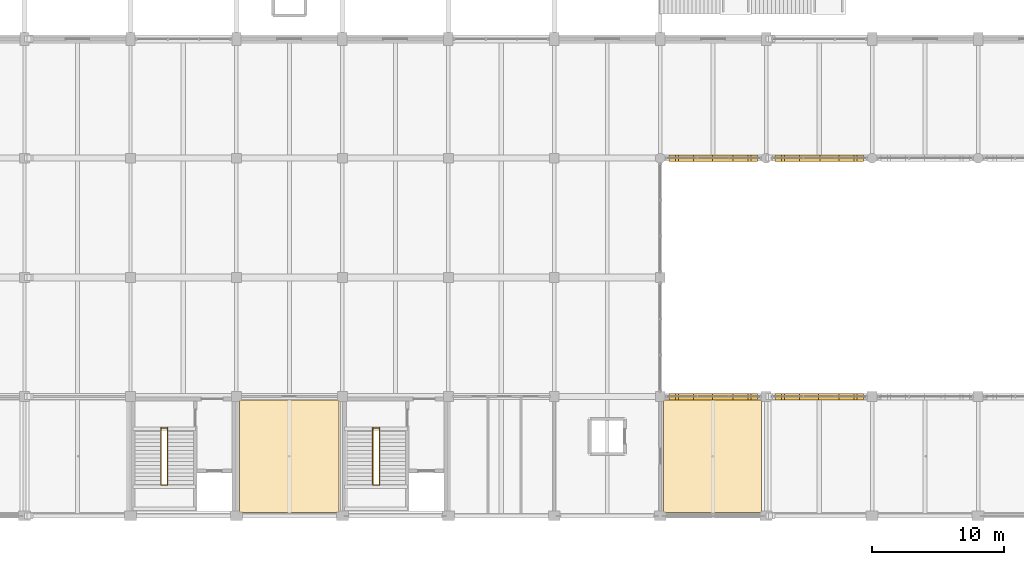
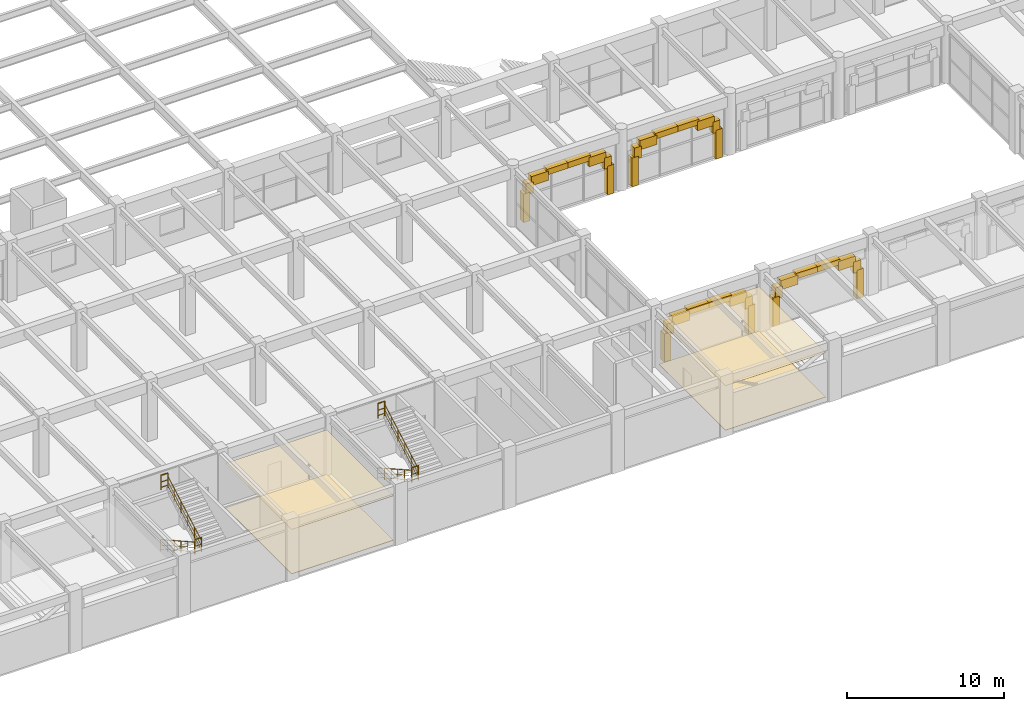
# One storey, part 137 of 144: 36 coverings, 8 railings.
"""IFC4 building model written with IfcOpenShell, lengths in metres."""

from ifc_helpers import new_model, si_unit, direction, frame, origin, origin_2d, place, context, subcontext, project, spatial, polyline, rectangle, circle, outline, extrude, material, layer, layer_set, type_object, element, save


model = new_model("IFC4")

# Units and contexts
model_context = context("Model", 3, precision=1e-05, world=origin(), true_north=direction((0.0, 1.0)))
body_context = subcontext(model_context, "Body", "Model", "MODEL_VIEW")
ifc_project = project(units=[si_unit("LENGTHUNIT", "METRE"), si_unit("AREAUNIT", "SQUARE_METRE"), si_unit("VOLUMEUNIT", "CUBIC_METRE"), si_unit("PLANEANGLEUNIT", "RADIAN"), si_unit("MASSUNIT", "GRAM", prefix="KILO")], contexts=[model_context])

# Site, building, storey
site_placement = place(None, origin())
site = spatial("IfcSite", under=ifc_project, at=site_placement, CompositionType="ELEMENT")
building_placement = place(site_placement, origin())
building = spatial("IfcBuilding", under=site, at=building_placement, Name="Varnabhumi Central Station", CompositionType="ELEMENT")
storey_placement = place(building_placement, frame((0.0, 0.0, 4.800048828125)))
storey = spatial("IfcBuildingStorey", under=building, at=storey_placement, Name="L01", CompositionType="ELEMENT", Elevation=4.800048828125)

# Coverings
ifc_material_1 = material(Name="Mineral-fibre acoustic tile")
ifc_layer_1 = layer(ifc_material_1, 0.02490234375, Name="Mineral-fibre acoustic tile")
ifc_layer_set_1 = layer_set([ifc_layer_1], Name="Mineral-fibre acoustic tile")
covering_type_1 = type_object("IfcCoveringType", Name="COV-CEIL-ACOUSTIC", PredefinedType="CEILING", material=ifc_layer_set_1)
covering_1_placement = place(storey_placement, frame((0.0, 0.0, 3.469970703125)))
element("IfcCovering", 1, at=covering_1_placement, inside=storey, type_object=covering_type_1, Name="Parcel Logistics and Customs Office Acoustic Ceiling", PredefinedType="CEILING", context=body_context, shape_type="SweptSolid", body=[
    extrude(outline(polyline([(80.25, 0.25), (87.75, 0.25), (87.75, 8.75), (80.25, 8.75), (80.25, 0.25)])), origin(), (0.0, 0.0, 1.0), 0.02490234375),
])
covering_2_placement = place(storey_placement, frame((0.0, 0.0, 3.469970703125)))
element("IfcCovering", 2, at=covering_2_placement, inside=storey, type_object=covering_type_1, Name="Lost Property and Station Archive Store Acoustic Ceiling", PredefinedType="CEILING", context=body_context, shape_type="SweptSolid", body=[
    extrude(outline(polyline([(112.25, 0.25), (119.64990234375, 0.25), (119.64990234375, 8.75), (112.25, 8.75), (112.25, 0.25)])), origin(), (0.0, 0.0, 1.0), 0.02490234375),
])
ifc_material_2 = material(Name="Vitrified granite stone flooring", Category="masonry")
ifc_layer_2 = layer(ifc_material_2, 0.030029296875, Name="Vitrified granite stone flooring", Category="masonry")
ifc_layer_set_2 = layer_set([ifc_layer_2], Name="Vitrified granite stone flooring")
covering_type_2 = type_object("IfcCoveringType", Name="COV-FLOR-GRANITE", PredefinedType="FLOORING", material=ifc_layer_set_2)
covering_3_placement = place(storey_placement, origin())
element("IfcCovering", 3, at=covering_3_placement, inside=storey, type_object=covering_type_2, Name="Parcel Logistics and Customs Office Granite Flooring", PredefinedType="FLOORING", context=body_context, shape_type="SweptSolid", body=[
    extrude(outline(polyline([(80.25, 0.25), (87.75, 0.25), (87.75, 8.75), (80.25, 8.75), (80.25, 0.25)])), origin(), (0.0, 0.0, 1.0), 0.030029296875),
])
covering_4_placement = place(storey_placement, origin())
element("IfcCovering", 4, at=covering_4_placement, inside=storey, type_object=covering_type_2, Name="Lost Property and Station Archive Store Granite Flooring", PredefinedType="FLOORING", context=body_context, shape_type="SweptSolid", body=[
    extrude(outline(polyline([(112.25, 0.25), (119.64990234375, 0.25), (119.64990234375, 8.75), (112.25, 8.75), (112.25, 0.25)])), origin(), (0.0, 0.0, 1.0), 0.030029296875),
])
ifc_material_3 = material(Name="Terracotta clay Mission barrel tile", Category="masonry")
ifc_layer_3 = layer(ifc_material_3, 0.02001953125, Name="Terracotta clay Mission barrel tile", Category="masonry")
ifc_layer_set_3 = layer_set([ifc_layer_3], Name="Terracotta clay Mission barrel tile")
covering_type_3 = type_object("IfcCoveringType", Name="COV-WALL-FAIENCE", PredefinedType="CLADDING", material=ifc_layer_set_3)
covering_5_placement = place(storey_placement, frame((113.107421875, 9.0, 2.06005859375), z_axis=(0.0, 0.0, 1.0), x_axis=(1.0, 0.0, 0.0)))
element("IfcCovering", 5, at=covering_5_placement, inside=storey, type_object=covering_type_3, Name="South Patio Cloister Arch L01-S1 Stone Voussoir 1", PredefinedType="CLADDING", context=body_context, shape_type="SweptSolid", body=[
    extrude(rectangle(XDim=0.534912109375, YDim=0.47998046875, at=origin_2d()), origin(), (0.0, 0.0, 1.0), 0.8798828125),
])
covering_6_placement = place(storey_placement, frame((113.882568359375, 9.0, 2.66015625), z_axis=(0.0, 0.0, 1.0), x_axis=(1.0, 0.0, 0.0)))
element("IfcCovering", 6, at=covering_6_placement, inside=storey, type_object=covering_type_3, Name="South Patio Cloister Arch L01-S1 Stone Voussoir 2", PredefinedType="CLADDING", context=body_context, shape_type="SweptSolid", body=[
    extrude(rectangle(XDim=1.2548828125, YDim=0.47998046875, at=origin_2d()), origin(), (0.0, 0.0, 1.0), 0.718994140625),
])
for number, where, z_axis, x_axis, name in (
    (7, (115.22509765625, 9.0, 3.098876953125), (0.0, 0.0, 1.0), (1.0, 0.0, 0.0), "South Patio Cloister Arch L01-S1 Stone Voussoir 3"),
    (8, (116.77490234375, 9.0, 3.098876953125), (0.0, 0.0, 1.0), (1.0, 0.0, 0.0), "South Patio Cloister Arch L01-S1 Stone Voussoir 4"),
):
    element("IfcCovering", number, at=place(storey_placement, frame(where, z_axis=z_axis, x_axis=x_axis)), inside=storey, type_object=covering_type_3, Name=name, PredefinedType="CLADDING", context=body_context, shape_type="SweptSolid", body=[
        extrude(rectangle(XDim=1.669921875, YDim=0.47998046875, at=origin_2d()), origin(), (0.0, 0.0, 1.0), 0.44091796875),
    ])
covering_7_placement = place(storey_placement, frame((118.117431640625, 9.0, 2.66015625), z_axis=(0.0, 0.0, 1.0), x_axis=(1.0, 0.0, 0.0)))
element("IfcCovering", 9, at=covering_7_placement, inside=storey, type_object=covering_type_3, Name="South Patio Cloister Arch L01-S1 Stone Voussoir 5", PredefinedType="CLADDING", context=body_context, shape_type="SweptSolid", body=[
    extrude(rectangle(XDim=1.2548828125, YDim=0.47998046875, at=origin_2d()), origin(), (0.0, 0.0, 1.0), 0.718994140625),
])
covering_8_placement = place(storey_placement, frame((118.892578125, 9.0, 2.06005859375), z_axis=(0.0, 0.0, 1.0), x_axis=(1.0, 0.0, 0.0)))
element("IfcCovering", 10, at=covering_8_placement, inside=storey, type_object=covering_type_3, Name="South Patio Cloister Arch L01-S1 Stone Voussoir 6", PredefinedType="CLADDING", context=body_context, shape_type="SweptSolid", body=[
    extrude(rectangle(XDim=0.534912109375, YDim=0.47998046875, at=origin_2d()), origin(), (0.0, 0.0, 1.0), 0.8798828125),
])
for number, where, z_axis, x_axis, name in (
    (11, (112.89990234375, 9.0, -0.02001953125), (0.0, 0.0, 1.0), (1.0, 0.0, 0.0), "South Patio Cloister Arch L01-S1 Classical Pilaster 1"),
    (12, (119.10009765625, 9.0, -0.02001953125), (0.0, 0.0, 1.0), (1.0, 0.0, 0.0), "South Patio Cloister Arch L01-S1 Classical Pilaster 2"),
):
    element("IfcCovering", number, at=place(storey_placement, frame(where, z_axis=z_axis, x_axis=x_axis)), inside=storey, type_object=covering_type_3, Name=name, PredefinedType="CLADDING", context=body_context, shape_type="SweptSolid", body=[
        extrude(rectangle(XDim=0.47998046875, YDim=0.47998046875, at=origin_2d()), origin(), (0.0, 0.0, 1.0), 2.239990234375),
    ])
covering_9_placement = place(storey_placement, frame((113.107421875, 27.0, 2.06005859375), z_axis=(0.0, 0.0, 1.0), x_axis=(1.0, 0.0, 0.0)))
element("IfcCovering", 13, at=covering_9_placement, inside=storey, type_object=covering_type_3, Name="South Patio Cloister Arch L01-N1 Stone Voussoir 1", PredefinedType="CLADDING", context=body_context, shape_type="SweptSolid", body=[
    extrude(rectangle(XDim=0.534912109375, YDim=0.47998046875, at=origin_2d()), origin(), (0.0, 0.0, 1.0), 0.8798828125),
])
covering_10_placement = place(storey_placement, frame((113.882568359375, 27.0, 2.66015625), z_axis=(0.0, 0.0, 1.0), x_axis=(1.0, 0.0, 0.0)))
element("IfcCovering", 14, at=covering_10_placement, inside=storey, type_object=covering_type_3, Name="South Patio Cloister Arch L01-N1 Stone Voussoir 2", PredefinedType="CLADDING", context=body_context, shape_type="SweptSolid", body=[
    extrude(rectangle(XDim=1.2548828125, YDim=0.47998046875, at=origin_2d()), origin(), (0.0, 0.0, 1.0), 0.718994140625),
])
for number, where, z_axis, x_axis, name in (
    (15, (115.22509765625, 27.0, 3.098876953125), (0.0, 0.0, 1.0), (1.0, 0.0, 0.0), "South Patio Cloister Arch L01-N1 Stone Voussoir 3"),
    (16, (116.77490234375, 27.0, 3.098876953125), (0.0, 0.0, 1.0), (1.0, 0.0, 0.0), "South Patio Cloister Arch L01-N1 Stone Voussoir 4"),
):
    element("IfcCovering", number, at=place(storey_placement, frame(where, z_axis=z_axis, x_axis=x_axis)), inside=storey, type_object=covering_type_3, Name=name, PredefinedType="CLADDING", context=body_context, shape_type="SweptSolid", body=[
        extrude(rectangle(XDim=1.669921875, YDim=0.47998046875, at=origin_2d()), origin(), (0.0, 0.0, 1.0), 0.44091796875),
    ])
covering_11_placement = place(storey_placement, frame((118.117431640625, 27.0, 2.66015625), z_axis=(0.0, 0.0, 1.0), x_axis=(1.0, 0.0, 0.0)))
element("IfcCovering", 17, at=covering_11_placement, inside=storey, type_object=covering_type_3, Name="South Patio Cloister Arch L01-N1 Stone Voussoir 5", PredefinedType="CLADDING", context=body_context, shape_type="SweptSolid", body=[
    extrude(rectangle(XDim=1.2548828125, YDim=0.47998046875, at=origin_2d()), origin(), (0.0, 0.0, 1.0), 0.718994140625),
])
covering_12_placement = place(storey_placement, frame((118.892578125, 27.0, 2.06005859375), z_axis=(0.0, 0.0, 1.0), x_axis=(1.0, 0.0, 0.0)))
element("IfcCovering", 18, at=covering_12_placement, inside=storey, type_object=covering_type_3, Name="South Patio Cloister Arch L01-N1 Stone Voussoir 6", PredefinedType="CLADDING", context=body_context, shape_type="SweptSolid", body=[
    extrude(rectangle(XDim=0.534912109375, YDim=0.47998046875, at=origin_2d()), origin(), (0.0, 0.0, 1.0), 0.8798828125),
])
for number, where, z_axis, x_axis, name in (
    (19, (112.89990234375, 27.0, -0.02001953125), (0.0, 0.0, 1.0), (1.0, 0.0, 0.0), "South Patio Cloister Arch L01-N1 Classical Pilaster 1"),
    (20, (119.10009765625, 27.0, -0.02001953125), (0.0, 0.0, 1.0), (1.0, 0.0, 0.0), "South Patio Cloister Arch L01-N1 Classical Pilaster 2"),
):
    element("IfcCovering", number, at=place(storey_placement, frame(where, z_axis=z_axis, x_axis=x_axis)), inside=storey, type_object=covering_type_3, Name=name, PredefinedType="CLADDING", context=body_context, shape_type="SweptSolid", body=[
        extrude(rectangle(XDim=0.47998046875, YDim=0.47998046875, at=origin_2d()), origin(), (0.0, 0.0, 1.0), 2.239990234375),
    ])
covering_13_placement = place(storey_placement, frame((121.107421875, 9.0, 2.06005859375), z_axis=(0.0, 0.0, 1.0), x_axis=(1.0, 0.0, 0.0)))
element("IfcCovering", 21, at=covering_13_placement, inside=storey, type_object=covering_type_3, Name="South Patio Cloister Arch L01-S2 Stone Voussoir 1", PredefinedType="CLADDING", context=body_context, shape_type="SweptSolid", body=[
    extrude(rectangle(XDim=0.534912109375, YDim=0.47998046875, at=origin_2d()), origin(), (0.0, 0.0, 1.0), 0.8798828125),
])
covering_14_placement = place(storey_placement, frame((121.882568359375, 9.0, 2.66015625), z_axis=(0.0, 0.0, 1.0), x_axis=(1.0, 0.0, 0.0)))
element("IfcCovering", 22, at=covering_14_placement, inside=storey, type_object=covering_type_3, Name="South Patio Cloister Arch L01-S2 Stone Voussoir 2", PredefinedType="CLADDING", context=body_context, shape_type="SweptSolid", body=[
    extrude(rectangle(XDim=1.2548828125, YDim=0.47998046875, at=origin_2d()), origin(), (0.0, 0.0, 1.0), 0.718994140625),
])
for number, where, z_axis, x_axis, name in (
    (23, (123.22509765625, 9.0, 3.098876953125), (0.0, 0.0, 1.0), (1.0, 0.0, 0.0), "South Patio Cloister Arch L01-S2 Stone Voussoir 3"),
    (24, (124.77490234375, 9.0, 3.098876953125), (0.0, 0.0, 1.0), (1.0, 0.0, 0.0), "South Patio Cloister Arch L01-S2 Stone Voussoir 4"),
):
    element("IfcCovering", number, at=place(storey_placement, frame(where, z_axis=z_axis, x_axis=x_axis)), inside=storey, type_object=covering_type_3, Name=name, PredefinedType="CLADDING", context=body_context, shape_type="SweptSolid", body=[
        extrude(rectangle(XDim=1.669921875, YDim=0.47998046875, at=origin_2d()), origin(), (0.0, 0.0, 1.0), 0.44091796875),
    ])
covering_15_placement = place(storey_placement, frame((126.117431640625, 9.0, 2.66015625), z_axis=(0.0, 0.0, 1.0), x_axis=(1.0, 0.0, 0.0)))
element("IfcCovering", 25, at=covering_15_placement, inside=storey, type_object=covering_type_3, Name="South Patio Cloister Arch L01-S2 Stone Voussoir 5", PredefinedType="CLADDING", context=body_context, shape_type="SweptSolid", body=[
    extrude(rectangle(XDim=1.2548828125, YDim=0.47998046875, at=origin_2d()), origin(), (0.0, 0.0, 1.0), 0.718994140625),
])
covering_16_placement = place(storey_placement, frame((126.892578125, 9.0, 2.06005859375), z_axis=(0.0, 0.0, 1.0), x_axis=(1.0, 0.0, 0.0)))
element("IfcCovering", 26, at=covering_16_placement, inside=storey, type_object=covering_type_3, Name="South Patio Cloister Arch L01-S2 Stone Voussoir 6", PredefinedType="CLADDING", context=body_context, shape_type="SweptSolid", body=[
    extrude(rectangle(XDim=0.534912109375, YDim=0.47998046875, at=origin_2d()), origin(), (0.0, 0.0, 1.0), 0.8798828125),
])
for number, where, z_axis, x_axis, name in (
    (27, (120.89990234375, 9.0, -0.02001953125), (0.0, 0.0, 1.0), (1.0, 0.0, 0.0), "South Patio Cloister Arch L01-S2 Classical Pilaster 1"),
    (28, (127.10009765625, 9.0, -0.02001953125), (0.0, 0.0, 1.0), (1.0, 0.0, 0.0), "South Patio Cloister Arch L01-S2 Classical Pilaster 2"),
):
    element("IfcCovering", number, at=place(storey_placement, frame(where, z_axis=z_axis, x_axis=x_axis)), inside=storey, type_object=covering_type_3, Name=name, PredefinedType="CLADDING", context=body_context, shape_type="SweptSolid", body=[
        extrude(rectangle(XDim=0.47998046875, YDim=0.47998046875, at=origin_2d()), origin(), (0.0, 0.0, 1.0), 2.239990234375),
    ])
covering_17_placement = place(storey_placement, frame((121.107421875, 27.0, 2.06005859375), z_axis=(0.0, 0.0, 1.0), x_axis=(1.0, 0.0, 0.0)))
element("IfcCovering", 29, at=covering_17_placement, inside=storey, type_object=covering_type_3, Name="South Patio Cloister Arch L01-N2 Stone Voussoir 1", PredefinedType="CLADDING", context=body_context, shape_type="SweptSolid", body=[
    extrude(rectangle(XDim=0.534912109375, YDim=0.47998046875, at=origin_2d()), origin(), (0.0, 0.0, 1.0), 0.8798828125),
])
covering_18_placement = place(storey_placement, frame((121.882568359375, 27.0, 2.66015625), z_axis=(0.0, 0.0, 1.0), x_axis=(1.0, 0.0, 0.0)))
element("IfcCovering", 30, at=covering_18_placement, inside=storey, type_object=covering_type_3, Name="South Patio Cloister Arch L01-N2 Stone Voussoir 2", PredefinedType="CLADDING", context=body_context, shape_type="SweptSolid", body=[
    extrude(rectangle(XDim=1.2548828125, YDim=0.47998046875, at=origin_2d()), origin(), (0.0, 0.0, 1.0), 0.718994140625),
])
for number, where, z_axis, x_axis, name in (
    (31, (123.22509765625, 27.0, 3.098876953125), (0.0, 0.0, 1.0), (1.0, 0.0, 0.0), "South Patio Cloister Arch L01-N2 Stone Voussoir 3"),
    (32, (124.77490234375, 27.0, 3.098876953125), (0.0, 0.0, 1.0), (1.0, 0.0, 0.0), "South Patio Cloister Arch L01-N2 Stone Voussoir 4"),
):
    element("IfcCovering", number, at=place(storey_placement, frame(where, z_axis=z_axis, x_axis=x_axis)), inside=storey, type_object=covering_type_3, Name=name, PredefinedType="CLADDING", context=body_context, shape_type="SweptSolid", body=[
        extrude(rectangle(XDim=1.669921875, YDim=0.47998046875, at=origin_2d()), origin(), (0.0, 0.0, 1.0), 0.44091796875),
    ])
covering_19_placement = place(storey_placement, frame((126.117431640625, 27.0, 2.66015625), z_axis=(0.0, 0.0, 1.0), x_axis=(1.0, 0.0, 0.0)))
element("IfcCovering", 33, at=covering_19_placement, inside=storey, type_object=covering_type_3, Name="South Patio Cloister Arch L01-N2 Stone Voussoir 5", PredefinedType="CLADDING", context=body_context, shape_type="SweptSolid", body=[
    extrude(rectangle(XDim=1.2548828125, YDim=0.47998046875, at=origin_2d()), origin(), (0.0, 0.0, 1.0), 0.718994140625),
])
covering_20_placement = place(storey_placement, frame((126.892578125, 27.0, 2.06005859375), z_axis=(0.0, 0.0, 1.0), x_axis=(1.0, 0.0, 0.0)))
element("IfcCovering", 34, at=covering_20_placement, inside=storey, type_object=covering_type_3, Name="South Patio Cloister Arch L01-N2 Stone Voussoir 6", PredefinedType="CLADDING", context=body_context, shape_type="SweptSolid", body=[
    extrude(rectangle(XDim=0.534912109375, YDim=0.47998046875, at=origin_2d()), origin(), (0.0, 0.0, 1.0), 0.8798828125),
])
for number, where, z_axis, x_axis, name in (
    (35, (120.89990234375, 27.0, -0.02001953125), (0.0, 0.0, 1.0), (1.0, 0.0, 0.0), "South Patio Cloister Arch L01-N2 Classical Pilaster 1"),
    (36, (127.10009765625, 27.0, -0.02001953125), (0.0, 0.0, 1.0), (1.0, 0.0, 0.0), "South Patio Cloister Arch L01-N2 Classical Pilaster 2"),
):
    element("IfcCovering", number, at=place(storey_placement, frame(where, z_axis=z_axis, x_axis=x_axis)), inside=storey, type_object=covering_type_3, Name=name, PredefinedType="CLADDING", context=body_context, shape_type="SweptSolid", body=[
        extrude(rectangle(XDim=0.47998046875, YDim=0.47998046875, at=origin_2d()), origin(), (0.0, 0.0, 1.0), 2.239990234375),
    ])

# Railings
ifc_material_4 = material(Name="Stainless steel Grade 316", Category="steel")
railing_type_1 = type_object("IfcRailingType", Name="RAIL-STAIR-GRD-1150", PredefinedType="GUARDRAIL", material=ifc_material_4)
for number, where, name in (
    (37, (90.300048828125, 2.324951171875, 2.39990234375), "ST-S2 L01 Half-Landing Well Guard"),
    (38, (90.300048828125, 6.639892578125, 4.800048828125), "ST-S2 L01 Arrival Slot Guard"),
    (39, (74.300048828125, 2.324951171875, 2.39990234375), "ST-S4 L01 Half-Landing Well Guard"),
    (40, (74.300048828125, 6.639892578125, 4.800048828125), "ST-S4 L01 Arrival Slot Guard"),
):
    element("IfcRailing", number, at=place(storey_placement, frame(where)), inside=storey, type_object=railing_type_1, Name=name, PredefinedType="GUARDRAIL", context=body_context, shape_type="SweptSolid", body=[
        extrude(circle(Radius=0.02392578125, at=origin_2d()), frame((0.0, 0.0, 1.1259765625), z_axis=(1.0, 0.0, 0.0), x_axis=(0.0, 1.0, 0.0)), (0.0, 0.0, 1.0), 0.5),
        extrude(circle(Radius=0.01416015625, at=origin_2d()), frame((0.0, 0.0, 0.597900390625), z_axis=(1.0, 0.0, 0.0), x_axis=(0.0, 1.0, 0.0)), (0.0, 0.0, 1.0), 0.5),
        extrude(circle(Radius=0.01416015625, at=origin_2d()), frame((0.0, 0.0, 0.18408203125), z_axis=(1.0, 0.0, 0.0), x_axis=(0.0, 1.0, 0.0)), (0.0, 0.0, 1.0), 0.5),
        extrude(circle(Radius=0.02099609375, at=origin_2d()), origin(), (0.0, 0.0, 1.0), 1.101806640625),
        extrude(circle(Radius=0.02099609375, at=origin_2d()), frame((0.5, 0.0, 0.0)), (0.0, 0.0, 1.0), 1.101806640625),
    ])
railing_type_2 = type_object("IfcRailingType", Name="RAIL-STAIR-HR-920", PredefinedType="HANDRAIL", material=ifc_material_4)
railing_1_placement = place(storey_placement, frame((90.300048828125, 6.659912109375, 0.0)))
element("IfcRailing", 41, at=railing_1_placement, inside=storey, type_object=railing_type_2, Name="ST-S2 L01 Flight 1 Handrail", PredefinedType="HANDRAIL", context=body_context, shape_type="SweptSolid", body=[
    extrude(circle(Radius=0.02392578125, at=origin_2d()), frame((0.0, 0.0, 0.89599609375), z_axis=(0.0, -0.871987514779, 0.489528113665), x_axis=(1.0, 0.0, 0.0)), (0.0, 0.0, 1.0), 4.902587890625),
    extrude(circle(Radius=0.01416015625, at=origin_2d()), frame((0.0, 0.0, 0.478271484375), z_axis=(0.0, -0.871987514779, 0.489528113665), x_axis=(1.0, 0.0, 0.0)), (0.0, 0.0, 1.0), 4.902587890625),
    extrude(circle(Radius=0.01416015625, at=origin_2d()), frame((0.0, 0.0, 0.147216796875), z_axis=(0.0, -0.871987514779, 0.489528113665), x_axis=(1.0, 0.0, 0.0)), (0.0, 0.0, 1.0), 4.902587890625),
    extrude(circle(Radius=0.02099609375, at=origin_2d()), origin(), (0.0, 0.0, 1.0), 0.871826171875),
    extrude(circle(Radius=0.02099609375, at=origin_2d()), frame((0.0, -0.85498046875, 0.47998046875)), (0.0, 0.0, 1.0), 0.871826171875),
    extrude(circle(Radius=0.02099609375, at=origin_2d()), frame((0.0, -1.7099609375, 0.9599609375)), (0.0, 0.0, 1.0), 0.871826171875),
    extrude(circle(Radius=0.02099609375, at=origin_2d()), frame((0.0, -2.56494140625, 1.43994140625)), (0.0, 0.0, 1.0), 0.871826171875),
    extrude(circle(Radius=0.02099609375, at=origin_2d()), frame((0.0, -3.419921875, 1.919921875)), (0.0, 0.0, 1.0), 0.871826171875),
    extrude(circle(Radius=0.02099609375, at=origin_2d()), frame((0.0, -4.27490234375, 2.39990234375)), (0.0, 0.0, 1.0), 0.871826171875),
])
railing_2_placement = place(storey_placement, frame((90.800048828125, 2.385009765625, 2.39990234375)))
element("IfcRailing", 42, at=railing_2_placement, inside=storey, type_object=railing_type_2, Name="ST-S2 L01 Flight 2 Handrail", PredefinedType="HANDRAIL", context=body_context, shape_type="SweptSolid", body=[
    extrude(circle(Radius=0.02392578125, at=origin_2d()), frame((0.0, 0.0, 0.89599609375), z_axis=(0.0, 0.871966256983, 0.489565977864), x_axis=(-1.0, 0.0, 0.0)), (0.0, 0.0, 1.0), 4.902587890625),
    extrude(circle(Radius=0.01416015625, at=origin_2d()), frame((0.0, 0.0, 0.478271484375), z_axis=(0.0, 0.871966256983, 0.489565977864), x_axis=(-1.0, 0.0, 0.0)), (0.0, 0.0, 1.0), 4.902587890625),
    extrude(circle(Radius=0.01416015625, at=origin_2d()), frame((0.0, 0.0, 0.147216796875), z_axis=(0.0, 0.871966256983, 0.489565977864), x_axis=(-1.0, 0.0, 0.0)), (0.0, 0.0, 1.0), 4.902587890625),
    extrude(circle(Radius=0.02099609375, at=origin_2d()), origin(), (0.0, 0.0, 1.0), 0.871826171875),
    extrude(circle(Radius=0.02099609375, at=origin_2d()), frame((0.0, 0.85498046875, 0.47998046875)), (0.0, 0.0, 1.0), 0.871826171875),
    extrude(circle(Radius=0.02099609375, at=origin_2d()), frame((0.0, 1.7099609375, 0.9599609375)), (0.0, 0.0, 1.0), 0.871826171875),
    extrude(circle(Radius=0.02099609375, at=origin_2d()), frame((0.0, 2.56494140625, 1.440185546875)), (0.0, 0.0, 1.0), 0.871826171875),
    extrude(circle(Radius=0.02099609375, at=origin_2d()), frame((0.0, 3.419921875, 1.920166015625)), (0.0, 0.0, 1.0), 0.871826171875),
    extrude(circle(Radius=0.02099609375, at=origin_2d()), frame((0.0, 4.27490234375, 2.400146484375)), (0.0, 0.0, 1.0), 0.871826171875),
])
railing_3_placement = place(storey_placement, frame((74.300048828125, 6.659912109375, 0.0)))
element("IfcRailing", 43, at=railing_3_placement, inside=storey, type_object=railing_type_2, Name="ST-S4 L01 Flight 1 Handrail", PredefinedType="HANDRAIL", context=body_context, shape_type="SweptSolid", body=[
    extrude(circle(Radius=0.02392578125, at=origin_2d()), frame((0.0, 0.0, 0.89599609375), z_axis=(0.0, -0.871987514779, 0.489528113665), x_axis=(1.0, 0.0, 0.0)), (0.0, 0.0, 1.0), 4.902587890625),
    extrude(circle(Radius=0.01416015625, at=origin_2d()), frame((0.0, 0.0, 0.478271484375), z_axis=(0.0, -0.871987514779, 0.489528113665), x_axis=(1.0, 0.0, 0.0)), (0.0, 0.0, 1.0), 4.902587890625),
    extrude(circle(Radius=0.01416015625, at=origin_2d()), frame((0.0, 0.0, 0.147216796875), z_axis=(0.0, -0.871987514779, 0.489528113665), x_axis=(1.0, 0.0, 0.0)), (0.0, 0.0, 1.0), 4.902587890625),
    extrude(circle(Radius=0.02099609375, at=origin_2d()), origin(), (0.0, 0.0, 1.0), 0.871826171875),
    extrude(circle(Radius=0.02099609375, at=origin_2d()), frame((0.0, -0.85498046875, 0.47998046875)), (0.0, 0.0, 1.0), 0.871826171875),
    extrude(circle(Radius=0.02099609375, at=origin_2d()), frame((0.0, -1.7099609375, 0.9599609375)), (0.0, 0.0, 1.0), 0.871826171875),
    extrude(circle(Radius=0.02099609375, at=origin_2d()), frame((0.0, -2.56494140625, 1.43994140625)), (0.0, 0.0, 1.0), 0.871826171875),
    extrude(circle(Radius=0.02099609375, at=origin_2d()), frame((0.0, -3.419921875, 1.919921875)), (0.0, 0.0, 1.0), 0.871826171875),
    extrude(circle(Radius=0.02099609375, at=origin_2d()), frame((0.0, -4.27490234375, 2.39990234375)), (0.0, 0.0, 1.0), 0.871826171875),
])
railing_4_placement = place(storey_placement, frame((74.800048828125, 2.385009765625, 2.39990234375)))
element("IfcRailing", 44, at=railing_4_placement, inside=storey, type_object=railing_type_2, Name="ST-S4 L01 Flight 2 Handrail", PredefinedType="HANDRAIL", context=body_context, shape_type="SweptSolid", body=[
    extrude(circle(Radius=0.02392578125, at=origin_2d()), frame((0.0, 0.0, 0.89599609375), z_axis=(0.0, 0.871966256983, 0.489565977864), x_axis=(-1.0, 0.0, 0.0)), (0.0, 0.0, 1.0), 4.902587890625),
    extrude(circle(Radius=0.01416015625, at=origin_2d()), frame((0.0, 0.0, 0.478271484375), z_axis=(0.0, 0.871966256983, 0.489565977864), x_axis=(-1.0, 0.0, 0.0)), (0.0, 0.0, 1.0), 4.902587890625),
    extrude(circle(Radius=0.01416015625, at=origin_2d()), frame((0.0, 0.0, 0.147216796875), z_axis=(0.0, 0.871966256983, 0.489565977864), x_axis=(-1.0, 0.0, 0.0)), (0.0, 0.0, 1.0), 4.902587890625),
    extrude(circle(Radius=0.02099609375, at=origin_2d()), origin(), (0.0, 0.0, 1.0), 0.871826171875),
    extrude(circle(Radius=0.02099609375, at=origin_2d()), frame((0.0, 0.85498046875, 0.47998046875)), (0.0, 0.0, 1.0), 0.871826171875),
    extrude(circle(Radius=0.02099609375, at=origin_2d()), frame((0.0, 1.7099609375, 0.9599609375)), (0.0, 0.0, 1.0), 0.871826171875),
    extrude(circle(Radius=0.02099609375, at=origin_2d()), frame((0.0, 2.56494140625, 1.440185546875)), (0.0, 0.0, 1.0), 0.871826171875),
    extrude(circle(Radius=0.02099609375, at=origin_2d()), frame((0.0, 3.419921875, 1.920166015625)), (0.0, 0.0, 1.0), 0.871826171875),
    extrude(circle(Radius=0.02099609375, at=origin_2d()), frame((0.0, 4.27490234375, 2.400146484375)), (0.0, 0.0, 1.0), 0.871826171875),
])

save(model, "model.ifc")
